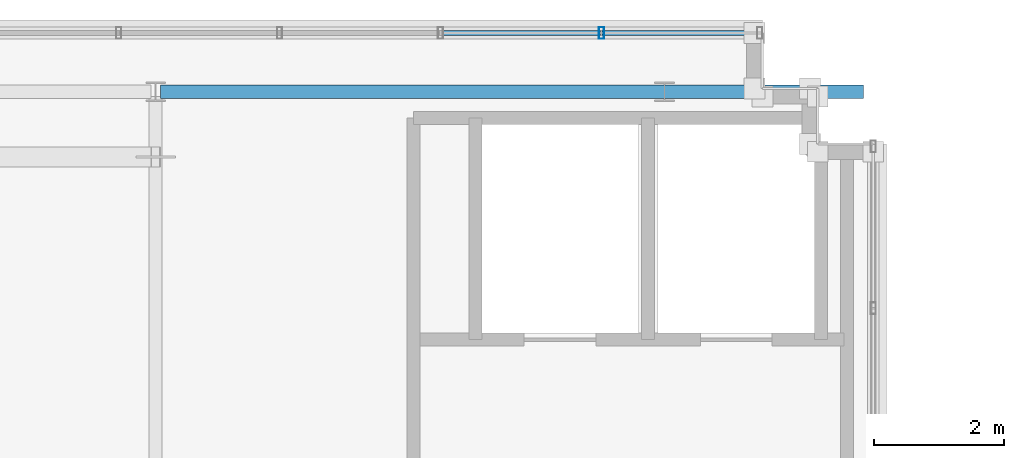
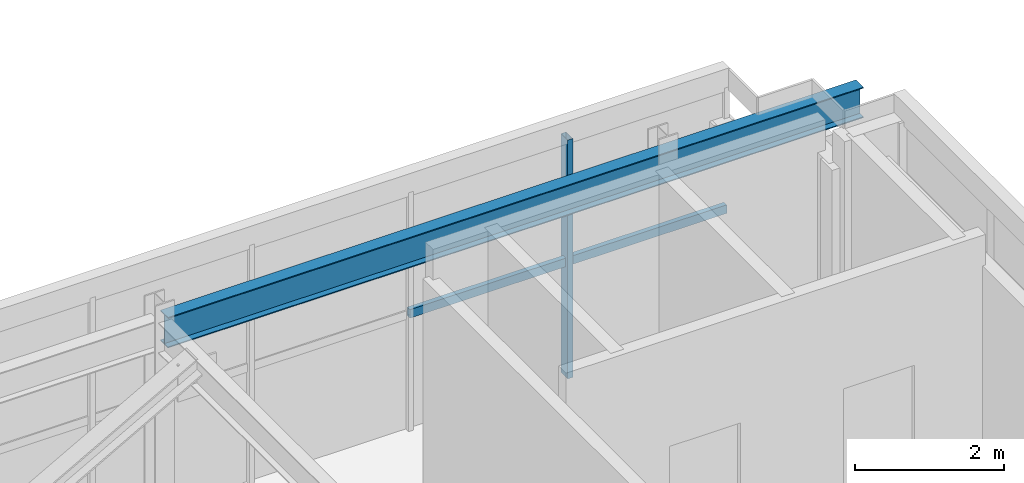
# One storey, part 10 of 25: 3 members, 1 beam, 1 element without a shape of its own.
"""IFC4 building model written with IfcOpenShell, lengths in metres."""

from ifc_helpers import new_model, si_unit, direction, frame, origin, origin_2d, place, context, subcontext, project, spatial, hollow_rectangle, i_section, extrude, source, transform, mapped, material, material_profile, profile_set, type_object, element, aggregate, save


model = new_model("IFC4")

# Units and contexts
model_context = context("Model", 3, precision=1e-05, world=origin(), true_north=direction((0.0, 1.0)))
body_context = subcontext(model_context, "Body", "Model", "MODEL_VIEW")
ifc_project = project(units=[si_unit("LENGTHUNIT", "METRE"), si_unit("AREAUNIT", "SQUARE_METRE"), si_unit("VOLUMEUNIT", "CUBIC_METRE"), si_unit("PLANEANGLEUNIT", "RADIAN"), si_unit("MASSUNIT", "GRAM", prefix="KILO")], contexts=[model_context])

# Site, building, storey
site_placement = place(None, origin())
site = spatial("IfcSite", under=ifc_project, at=site_placement, CompositionType="ELEMENT")
building_placement = place(site_placement, origin())
building = spatial("IfcBuilding", under=site, at=building_placement, Name="Trelvane Seafront Commons", CompositionType="ELEMENT")
storey_placement = place(building_placement, frame((0.0, 0.0, 316.699951171875)))
storey = spatial("IfcBuildingStorey", under=building, at=storey_placement, Name="L82", CompositionType="ELEMENT", Elevation=316.699951171875)

# Beam
ifc_material_1 = material(Name="Steel SM355 (S355)", Category="steel")
ifc_material_profile_1 = material_profile(ifc_material_1, i_section(OverallWidth=0.199951171875, OverallDepth=0.5, WebThickness=0.010009765625, FlangeThickness=0.01611328125, at=origin_2d()), Name="H-500x200x10x16")
ifc_profile_set_1 = profile_set([ifc_material_profile_1], Name="Steel SM355 (S355)")
beam_type = type_object("IfcBeamType", Name="STR-CROWN-FRAME-RING", PredefinedType="SPANDREL", material=ifc_profile_set_1)
shared_shape_1 = source(origin(), body_context, "Body", "SweptSolid", [
    extrude(i_section(OverallWidth=0.199951171875, OverallDepth=0.5, WebThickness=0.010009765625, FlangeThickness=0.01611328125, at=origin_2d()), origin(), (0.0, 0.0, 1.0), 10.77490234375),
])
beam_placement = place(storey_placement, frame((15.675048828125, 45.10009765625, 3.66015625), z_axis=(1.0, 0.0, 0.0), x_axis=(0.0, 1.0, 0.0)))
element("IfcBeam", 1, at=beam_placement, inside=storey, type_object=beam_type, Name="L82 CROWN FRAME Ring Beam G-10", PredefinedType="SPANDREL", context=body_context, shape_type="MappedRepresentation", body=[
    mapped(shared_shape_1, transform((0.0, 0.0, 0.0), x_axis=(1.0, 0.0, 0.0), y_axis=(0.0, 1.0, 0.0), z_axis=(0.0, 0.0, 1.0), scale=1.0)),
])

# Curtain wall, members
ifc_material_2 = material(Name="Anodised pale-silver aluminium", Category="aluminium")
curtain_wall_type = type_object("IfcCurtainWallType", Name="ARCH-CW6-CROWN", PredefinedType="NOTDEFINED", material=ifc_material_2)
curtain_wall_placement = place(storey_placement, origin())
curtain_wall = element("IfcCurtainWall", 2, at=curtain_wall_placement, inside=storey, type_object=curtain_wall_type, Name="CW-L82-0153", PredefinedType="NOTDEFINED")
ifc_material_profile_2 = material_profile(ifc_material_2, hollow_rectangle(XDim=0.080078125, YDim=0.179931640625, WallThickness=0.00439453125, at=origin_2d()), Name="MULL-80x180x4.5")
ifc_profile_set_2 = profile_set([ifc_material_profile_2], Name="Anodised pale-silver aluminium")
member_type_1 = type_object("IfcMemberType", Name="ARCH-CW-MULL-180", PredefinedType="MULLION", material=ifc_profile_set_2)
shared_shape_2 = source(origin(), body_context, "Body", "SweptSolid", [
    extrude(hollow_rectangle(XDim=0.080078125, YDim=0.179931640625, WallThickness=0.00439453125, at=origin_2d()), origin(), (0.0, 0.0, 1.0), 3.91015625),
])
member_1_placement = place(storey_placement, frame((22.433349609375, 46.0, 0.0), z_axis=(0.0, 0.0, 1.0), x_axis=(1.0, 0.0, 0.0)))
member_1 = element("IfcMember", 3, at=member_1_placement, type_object=member_type_1, Name="CW-L82-0153-M05", PredefinedType="MULLION", context=body_context, shape_type="MappedRepresentation", body=[
    mapped(shared_shape_2, transform((0.0, 0.0, 0.0), x_axis=(1.0, 0.0, 0.0), y_axis=(0.0, 1.0, 0.0), z_axis=(0.0, 0.0, 1.0), scale=1.0)),
])
ifc_material_profile_3 = material_profile(ifc_material_2, hollow_rectangle(XDim=0.074951171875, YDim=0.139892578125, WallThickness=0.00390625, at=origin_2d()), Name="TRAN-75x140x4")
ifc_profile_set_3 = profile_set([ifc_material_profile_3], Name="Anodised pale-silver aluminium")
member_type_2 = type_object("IfcMemberType", Name="ARCH-CW-TRAN-140", PredefinedType="USERDEFINED", material=ifc_profile_set_3)
shared_shape_3 = source(origin(), body_context, "Body", "SweptSolid", [
    extrude(hollow_rectangle(XDim=0.074951171875, YDim=0.139892578125, WallThickness=0.00390625, at=origin_2d()), origin(), (0.0, 0.0, 1.0), 2.442626953125),
])
member_2_placement = place(storey_placement, frame((19.978759765625, 46.0, 1.876953125), z_axis=(1.0, 0.0, 0.0), x_axis=(0.0, 1.0, 0.0)))
member_2 = element("IfcMember", 4, at=member_2_placement, type_object=member_type_2, Name="CW-L82-0153-T04", ObjectType="TRANSOM", PredefinedType="USERDEFINED", context=body_context, shape_type="MappedRepresentation", body=[
    mapped(shared_shape_3, transform((0.0, 0.0, 0.0), x_axis=(1.0, 0.0, 0.0), y_axis=(0.0, 1.0, 0.0), z_axis=(0.0, 0.0, 1.0), scale=1.0)),
])
member_3_placement = place(storey_placement, frame((22.4453125, 46.0, 1.876953125), z_axis=(1.0, 0.0, 0.0), x_axis=(0.0, 1.0, 0.0)))
member_3 = element("IfcMember", 5, at=member_3_placement, type_object=member_type_2, Name="CW-L82-0153-T05", ObjectType="TRANSOM", PredefinedType="USERDEFINED", context=body_context, shape_type="MappedRepresentation", body=[
    mapped(shared_shape_3, transform((0.0, 0.0, 0.0), x_axis=(1.0, 0.0, 0.0), y_axis=(0.0, 1.0, 0.0), z_axis=(0.0, 0.0, 1.0), scale=1.0)),
])
aggregate(curtain_wall, [member_1, member_2, member_3])

save(model, "model.ifc")
